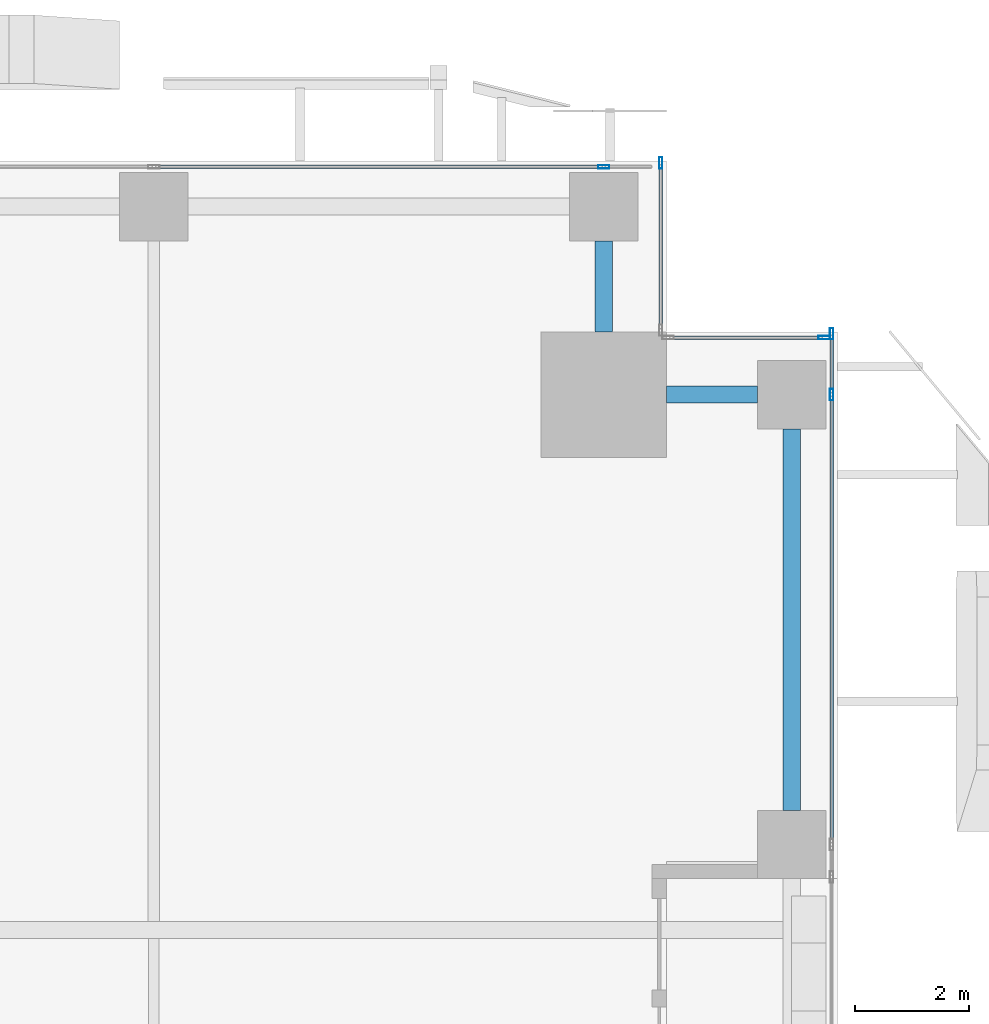
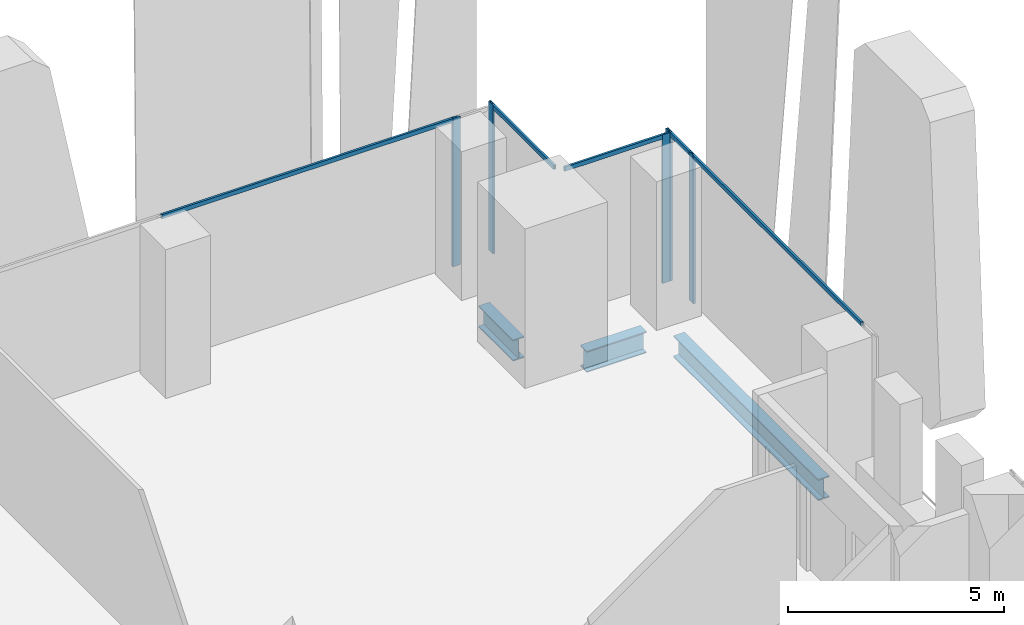
# One storey, part 22 of 37: 10 members, 3 beams, 4 elements without a shape of their own.
"""IFC4 building model written with IfcOpenShell, lengths in metres."""

from ifc_helpers import new_model, si_unit, direction, frame, origin, origin_2d, place, context, subcontext, project, spatial, hollow_rectangle, i_section, extrude, source, transform, mapped, material, material_profile, profile_set, type_object, element, aggregate, save


model = new_model("IFC4")

# Units and contexts
model_context = context("Model", 3, precision=1e-05, world=origin(), true_north=direction((0.0, 1.0)))
body_context = subcontext(model_context, "Body", "Model", "MODEL_VIEW")
ifc_project = project(units=[si_unit("LENGTHUNIT", "METRE"), si_unit("AREAUNIT", "SQUARE_METRE"), si_unit("VOLUMEUNIT", "CUBIC_METRE"), si_unit("PLANEANGLEUNIT", "RADIAN"), si_unit("MASSUNIT", "GRAM", prefix="KILO")], contexts=[model_context])

# Site, building, storey
site_placement = place(None, origin())
site = spatial("IfcSite", under=ifc_project, at=site_placement, CompositionType="ELEMENT")
building_placement = place(site_placement, origin())
building = spatial("IfcBuilding", under=site, at=building_placement, Name="Khomas Fold Tower", CompositionType="ELEMENT")
storey_placement = place(building_placement, frame((0.0, 0.0, 60.0)))
storey = spatial("IfcBuildingStorey", under=building, at=storey_placement, Name="L12", CompositionType="ELEMENT", Elevation=60.0)

# Beams
ifc_material_1 = material(Name="Steel S355", Category="steel")
ifc_material_profile_1 = material_profile(ifc_material_1, i_section(OverallWidth=0.300048828125, OverallDepth=0.60009765625, WebThickness=0.015380859375, FlangeThickness=0.030029296875, at=origin_2d()), Name="HE 600 B")
ifc_profile_set_1 = profile_set([ifc_material_profile_1], Name="Steel S355")
beam_type = type_object("IfcBeamType", Name="HE 600 B spandrel SB1", PredefinedType="SPANDREL", material=ifc_profile_set_1)
shared_shape_1 = source(origin(), body_context, "Body", "SweptSolid", [
    extrude(i_section(OverallWidth=0.300048828125, OverallDepth=0.60009765625, WebThickness=0.015380859375, FlangeThickness=0.030029296875, at=origin_2d()), origin(), (0.0, 0.0, 1.0), 6.699951171875),
])
beam_placement = place(storey_placement, frame((53.199951171875, 42.60009765625, -0.60009765625), z_axis=(0.0, 1.0, 0.0), x_axis=(-1.0, 0.0, 0.0)))
element("IfcBeam", 1, at=beam_placement, inside=storey, type_object=beam_type, Name="SB1", PredefinedType="SPANDREL", context=body_context, shape_type="MappedRepresentation", body=[
    mapped(shared_shape_1, transform((0.0, 0.0, 0.0))),
])
shared_shape_2 = source(origin(), body_context, "Body", "SweptSolid", [
    extrude(i_section(OverallWidth=0.300048828125, OverallDepth=0.60009765625, WebThickness=0.015380859375, FlangeThickness=0.030029296875, at=origin_2d()), origin(), (0.0, 0.0, 1.0), 1.60009765625),
])
for number, where, z_axis, x_axis, name in (
    (2, (51.0, 49.89990234375, -0.60009765625), (1.0, 0.0, 0.0), (0.0, 1.0, 0.0), "SB1"),
    (3, (49.89990234375, 51.0, -0.60009765625), (0.0, 1.0, 0.0), (-1.0, 0.0, 0.0), "SB1"),
):
    element("IfcBeam", number, at=place(storey_placement, frame(where, z_axis=z_axis, x_axis=x_axis)), inside=storey, type_object=beam_type, Name=name, PredefinedType="SPANDREL", context=body_context, shape_type="MappedRepresentation", body=[
        mapped(shared_shape_2, transform((0.0, 0.0, 0.0))),
    ])

# Curtain wall, member
ifc_material_2 = material(Name="Aluminium framed double glazing", Category="aluminium")
curtain_wall_type = type_object("IfcCurtainWallType", Name="SK-Unitised clear-glass wall, growing floors CW1", PredefinedType="NOTDEFINED", material=ifc_material_2)
curtain_wall_1_placement = place(storey_placement, origin())
curtain_wall_1 = element("IfcCurtainWall", 4, at=curtain_wall_1_placement, inside=storey, type_object=curtain_wall_type, Name="CW1 run L12 03-1", PredefinedType="NOTDEFINED")
ifc_material_3 = material(Name="Aluminium", Category="aluminium")
ifc_material_profile_2 = material_profile(ifc_material_3, hollow_rectangle(XDim=0.06005859375, YDim=0.1201171875, WallThickness=0.00390625, at=origin_2d()), Name="SK-Unitised clear-glass wall, growing floors transom CW1-T")
ifc_profile_set_2 = profile_set([ifc_material_profile_2], Name="Aluminium")
member_type_1 = type_object("IfcMemberType", Name="SK-Unitised clear-glass wall, growing floors transom CW1-T", PredefinedType="USERDEFINED", material=ifc_profile_set_2)
shared_shape_3 = source(origin(), body_context, "Body", "SweptSolid", [
    extrude(hollow_rectangle(XDim=0.06005859375, YDim=0.1201171875, WallThickness=0.00390625, at=origin_2d()), origin(), (0.0, 0.0, 1.0), 7.840087890625),
])
member_1_placement = place(storey_placement, frame((53.89990234375, 42.030029296875, 4.139892578125), z_axis=(0.0, 1.0, 0.0), x_axis=(-1.0, 0.0, 0.0)))
member_1 = element("IfcMember", 5, at=member_1_placement, type_object=member_type_1, Name="CW1 transom 2", ObjectType="TRANSOM", PredefinedType="USERDEFINED", context=body_context, shape_type="MappedRepresentation", body=[
    mapped(shared_shape_3, transform((0.0, 0.0, 0.0))),
])

curtain_wall_2_placement = place(storey_placement, origin())
curtain_wall_2 = element("IfcCurtainWall", 6, at=curtain_wall_2_placement, inside=storey, type_object=curtain_wall_type, Name="CW1 run L12 06-0", PredefinedType="NOTDEFINED")
member_2_placement = place(storey_placement, frame((49.8701171875, 53.89990234375, 4.139892578125), z_axis=(-1.0, 0.0, 0.0), x_axis=(0.0, -1.0, 0.0)))
member_2 = element("IfcMember", 7, at=member_2_placement, type_object=member_type_1, Name="CW1 transom 2", ObjectType="TRANSOM", PredefinedType="USERDEFINED", context=body_context, shape_type="MappedRepresentation", body=[
    mapped(shared_shape_3, transform((0.0, 0.0, 0.0))),
])

# Member
shared_shape_4 = source(origin(), body_context, "Body", "SweptSolid", [
    extrude(hollow_rectangle(XDim=0.06005859375, YDim=0.1201171875, WallThickness=0.00390625, at=origin_2d()), origin(), (0.0, 0.0, 1.0), 1.010009765625),
])
member_3_placement = place(storey_placement, frame((53.89990234375, 49.929931640625, 4.139892578125), z_axis=(0.0, 1.0, 0.0), x_axis=(-1.0, 0.0, 0.0)))
member_3 = element("IfcMember", 8, at=member_3_placement, type_object=member_type_1, Name="CW1 transom 3", ObjectType="TRANSOM", PredefinedType="USERDEFINED", context=body_context, shape_type="MappedRepresentation", body=[
    mapped(shared_shape_4, transform((0.0, 0.0, 0.0))),
])

# Curtain wall, member
curtain_wall_3_placement = place(storey_placement, origin())
curtain_wall_3 = element("IfcCurtainWall", 9, at=curtain_wall_3_placement, inside=storey, type_object=curtain_wall_type, Name="CW1 corner return L12 04", PredefinedType="NOTDEFINED")
shared_shape_5 = source(origin(), body_context, "Body", "SweptSolid", [
    extrude(hollow_rectangle(XDim=0.06005859375, YDim=0.1201171875, WallThickness=0.00390625, at=origin_2d()), origin(), (0.0, 0.0, 1.0), 2.679931640625),
])
member_4_placement = place(storey_placement, frame((53.739990234375, 50.89990234375, 4.139892578125), z_axis=(-1.0, 0.0, 0.0), x_axis=(0.0, -1.0, 0.0)))
member_4 = element("IfcMember", 10, at=member_4_placement, type_object=member_type_1, Name="CW1 transom 1", ObjectType="TRANSOM", PredefinedType="USERDEFINED", context=body_context, shape_type="MappedRepresentation", body=[
    mapped(shared_shape_5, transform((0.0, 0.0, 0.0))),
])

curtain_wall_4_placement = place(storey_placement, origin())
curtain_wall_4 = element("IfcCurtainWall", 11, at=curtain_wall_4_placement, inside=storey, type_object=curtain_wall_type, Name="CW1 corner return L12 05", PredefinedType="NOTDEFINED")
shared_shape_6 = source(origin(), body_context, "Body", "SweptSolid", [
    extrude(hollow_rectangle(XDim=0.06005859375, YDim=0.1201171875, WallThickness=0.00390625, at=origin_2d()), origin(), (0.0, 0.0, 1.0), 2.8798828125),
])
member_5_placement = place(storey_placement, frame((50.89990234375, 51.06005859375, 4.139892578125), z_axis=(0.0, 1.0, 0.0), x_axis=(-1.0, 0.0, 0.0)))
member_5 = element("IfcMember", 12, at=member_5_placement, type_object=member_type_1, Name="CW1 transom 1", ObjectType="TRANSOM", PredefinedType="USERDEFINED", context=body_context, shape_type="MappedRepresentation", body=[
    mapped(shared_shape_6, transform((0.0, 0.0, 0.0))),
])

# Member
ifc_material_4 = material(Name="Aluminium", Category="aluminium")
ifc_material_profile_3 = material_profile(ifc_material_4, hollow_rectangle(XDim=0.06005859375, YDim=0.199951171875, WallThickness=0.00390625, at=origin_2d()), Name="SK-Unitised clear-glass wall, growing floors mullion CW1-M")
ifc_profile_set_3 = profile_set([ifc_material_profile_3], Name="Aluminium")
member_type_2 = type_object("IfcMemberType", Name="SK-Unitised clear-glass wall, growing floors mullion CW1-M", PredefinedType="MULLION", material=ifc_profile_set_3)
shared_shape_7 = source(origin(), body_context, "Body", "SweptSolid", [
    extrude(hollow_rectangle(XDim=0.06005859375, YDim=0.199951171875, WallThickness=0.00390625, at=origin_2d()), origin(), (0.0, 0.0, 1.0), 4.199951171875),
])
member_6_placement = place(storey_placement, frame((53.89990234375, 49.89990234375, 0.0), z_axis=(0.0, 0.0, 1.0), x_axis=(-1.0, 0.0, 0.0)))
member_6 = element("IfcMember", 13, at=member_6_placement, type_object=member_type_2, Name="CW1 mullion 3", PredefinedType="MULLION", context=body_context, shape_type="MappedRepresentation", body=[
    mapped(shared_shape_7, transform((0.0, 0.0, 0.0))),
])

member_7_placement = place(storey_placement, frame((53.89990234375, 50.969970703125, 0.0), z_axis=(0.0, 0.0, 1.0), x_axis=(-1.0, 0.0, 0.0)))
member_7 = element("IfcMember", 14, at=member_7_placement, type_object=member_type_2, Name="CW1 mullion 4", PredefinedType="MULLION", context=body_context, shape_type="MappedRepresentation", body=[
    mapped(shared_shape_7, transform((0.0, 0.0, 0.0))),
])

aggregate(curtain_wall_1, [member_6, member_7, member_1, member_3])

member_8_placement = place(storey_placement, frame((53.77001953125, 50.89990234375, 0.0), z_axis=(0.0, 0.0, 1.0), x_axis=(0.0, -1.0, 0.0)))
member_8 = element("IfcMember", 15, at=member_8_placement, type_object=member_type_2, Name="CW1 mullion 1", PredefinedType="MULLION", context=body_context, shape_type="MappedRepresentation", body=[
    mapped(shared_shape_7, transform((0.0, 0.0, 0.0))),
])

aggregate(curtain_wall_3, [member_8, member_4])

member_9_placement = place(storey_placement, frame((50.89990234375, 53.969970703125, 0.0), z_axis=(0.0, 0.0, 1.0), x_axis=(-1.0, 0.0, 0.0)))
member_9 = element("IfcMember", 16, at=member_9_placement, type_object=member_type_2, Name="CW1 mullion 2", PredefinedType="MULLION", context=body_context, shape_type="MappedRepresentation", body=[
    mapped(shared_shape_7, transform((0.0, 0.0, 0.0))),
])

aggregate(curtain_wall_4, [member_9, member_5])

member_10_placement = place(storey_placement, frame((49.89990234375, 53.89990234375, 0.0), z_axis=(0.0, 0.0, 1.0), x_axis=(0.0, -1.0, 0.0)))
member_10 = element("IfcMember", 17, at=member_10_placement, type_object=member_type_2, Name="CW1 mullion 2", PredefinedType="MULLION", context=body_context, shape_type="MappedRepresentation", body=[
    mapped(shared_shape_7, transform((0.0, 0.0, 0.0))),
])

aggregate(curtain_wall_2, [member_10, member_2])

save(model, "model.ifc")
